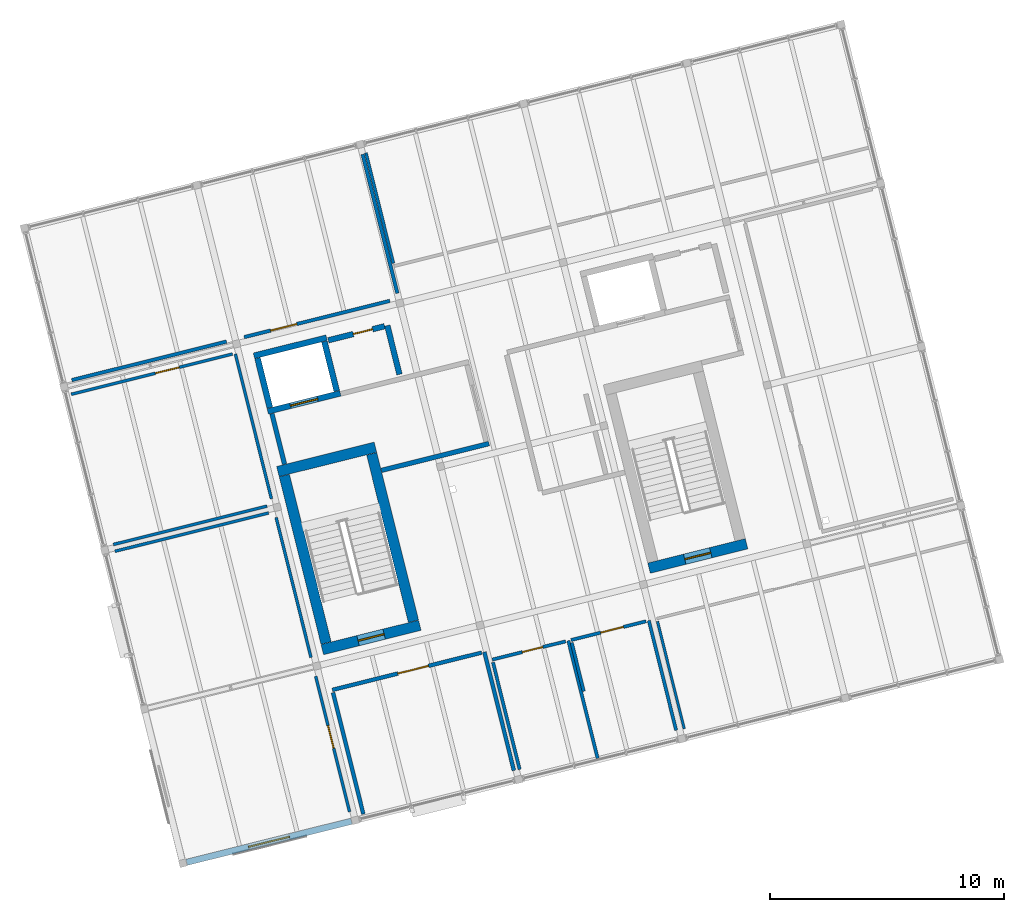
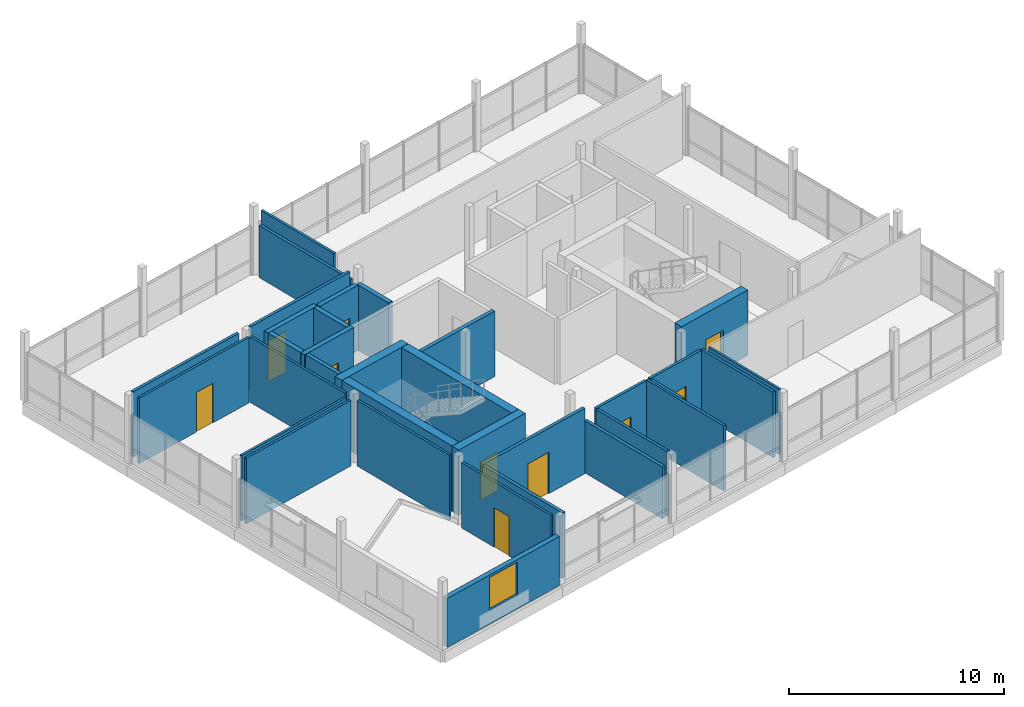
# One storey, part 23 of 25: 34 walls, 10 doors, 1 window, 11 openings.
"""IFC4 building model written with IfcOpenShell, lengths in metres."""

from ifc_helpers import new_model, si_unit, direction, frame, frame_2d, origin, place, context, subcontext, project, spatial, rectangle, extrude, material, layer, layer_set, type_object, element, fill, save


model = new_model("IFC4")

# Units and contexts
model_context = context("Model", 3, precision=1e-05, world=origin(), true_north=direction((0.0, 1.0)))
body_context = subcontext(model_context, "Body", "Model", "MODEL_VIEW")
ifc_project = project(units=[si_unit("LENGTHUNIT", "METRE"), si_unit("AREAUNIT", "SQUARE_METRE"), si_unit("VOLUMEUNIT", "CUBIC_METRE"), si_unit("PLANEANGLEUNIT", "RADIAN"), si_unit("MASSUNIT", "GRAM", prefix="KILO")], contexts=[model_context])

# Site, building, storey
site_placement = place(None, origin())
site = spatial("IfcSite", under=ifc_project, at=site_placement, CompositionType="ELEMENT")
building_placement = place(site_placement, origin())
building = spatial("IfcBuilding", under=site, at=building_placement, Name="Meriwether Solvik Hall", CompositionType="ELEMENT")
storey_placement = place(building_placement, frame((0.0, 0.0, 49.5)))
storey = spatial("IfcBuildingStorey", under=building, at=storey_placement, Name="L12", CompositionType="ELEMENT", Elevation=49.5)

# Wall
ifc_material_1 = material(Name="Double-Layer Acoustic Gypsum Board", Category="gypsum")
ifc_layer_1 = layer(ifc_material_1, 0.1650390625)
ifc_layer_set_1 = layer_set([ifc_layer_1], Name="Double-Layer Acoustic Gypsum Board")
wall_type_1 = type_object("IfcWallType", Name="WALL-DEM-165", PredefinedType="PARTITIONING", material=ifc_layer_set_1)
wall_1_placement = place(storey_placement, frame((82.76025390625, 45.169921875, 0.0), z_axis=(0.0, 0.0, 1.0), x_axis=(-0.241908753839, 0.970299002791, 0.0)))
element("IfcWall", 1, at=wall_1_placement, inside=storey, type_object=wall_type_1, Name="L12 Interior Partition lab_12sw_e", PredefinedType="PARTITIONING", context=body_context, shape_type="SweptSolid", body=[
    extrude(rectangle(XDim=5.2236328125, YDim=0.1650390625, at=frame_2d((2.61181640625, 0.0))), origin(), (0.0, 0.0, 1.0), 2.9599609375),
])

# Wall, opening, door
wall_2_placement = place(storey_placement, frame((81.380126953125, 50.20947265625, 0.0), z_axis=(0.0, 0.0, 1.0), x_axis=(-0.97028855449, -0.241950658247, 0.0)))
wall_2 = element("IfcWall", 2, at=wall_2_placement, inside=storey, type_object=wall_type_1, Name="L12 Interior Partition lab_12sw_n", PredefinedType="PARTITIONING", context=body_context, shape_type="SweptSolid", body=[
    extrude(rectangle(XDim=6.580078125, YDim=0.1650390625, at=frame_2d((3.2900390625, 0.0))), origin(), (0.0, 0.0, 1.0), 3.719970703125),
])
opening_1_placement = place(wall_2_placement, frame((2.342529296875, 0.0, 0.0)))
opening_1 = element("IfcOpeningElement", 3, at=opening_1_placement, cuts=wall_2, Name="Opening D-190", PredefinedType="OPENING", context=body_context, shape_type="SweptSolid", body=[
    extrude(rectangle(XDim=1.35009765625, YDim=2.35009765625, at=frame_2d((0.675048828125, 1.175048828125))), frame((0.0, 0.094482421875, 0.0), z_axis=(0.0, -1.0, 0.0), x_axis=(1.0, 0.0, 0.0)), (0.0, 0.0, 1.0), 0.18896484375),
])
ifc_material_2 = material(Name="Laminated Vision Glass and Solid White Oak Timber", Category="wood")
door_type_1 = type_object("IfcDoorType", Name="DR-LAB-1350L", OperationType="SINGLE_SWING_LEFT", PredefinedType="DOOR", material=ifc_material_2)
door_1_placement = place(opening_1_placement, origin())
door_1 = element("IfcDoor", 4, at=door_1_placement, inside=storey, type_object=door_type_1, Name="L12 GIS Mapping Studio Door", OperationType="SINGLE_SWING_LEFT", OverallHeight=2.35009765625, OverallWidth=1.35009765625, PredefinedType="DOOR", context=body_context, shape_type="SweptSolid", body=[
    extrude(rectangle(XDim=1.35009765625, YDim=2.35009765625, at=frame_2d((0.675048828125, 1.175048828125))), frame((0.0, 0.02490234375, 0.0), z_axis=(0.0, -1.0, 0.0), x_axis=(1.0, 0.0, 0.0)), (0.0, 0.0, 1.0), 0.050048828125),
])
fill(opening_1, door_1)

# Wall
wall_3_placement = place(storey_placement, frame((75.024658203125, 48.501220703125, 0.0), z_axis=(0.0, 0.0, 1.0), x_axis=(0.241880779036, -0.970305976861, 0.0)))
element("IfcWall", 5, at=wall_3_placement, inside=storey, type_object=wall_type_1, Name="L12 Interior Partition lab_12sw_w", PredefinedType="PARTITIONING", context=body_context, shape_type="SweptSolid", body=[
    extrude(rectangle(XDim=5.3515625, YDim=0.1650390625, at=frame_2d((2.67578125, 0.0))), origin(), (0.0, 0.0, 1.0), 3.719970703125),
])

# Wall, opening, window
ifc_material_3 = material(Name="Charred Western Red Cedar Timber and Mineral Wool", Category="wood")
ifc_layer_2 = layer(ifc_material_3, 0.27001953125)
ifc_layer_set_2 = layer_set([ifc_layer_2], Name="Charred Western Red Cedar Timber and Mineral Wool")
wall_type_2 = type_object("IfcWallType", Name="WALL-EXT-270", PredefinedType="SOLIDWALL", material=ifc_layer_set_2)
wall_4_placement = place(storey_placement, frame((75.809814453125, 42.99755859375, 0.0), z_axis=(0.0, 0.0, 1.0), x_axis=(-0.970296574767, -0.241918492461, 0.0)))
wall_4 = element("IfcWall", 6, at=wall_4_placement, inside=storey, type_object=wall_type_2, Name="L12 Timber Rainscreen Wall 1.0", PredefinedType="SOLIDWALL", context=body_context, shape_type="SweptSolid", body=[
    extrude(rectangle(XDim=7.260986328125, YDim=0.27001953125, at=frame_2d((3.63037109375, 0.0))), origin(), (0.0, 0.0, 1.0), 2.7900390625),
])
opening_2_placement = place(wall_4_placement, frame((2.73046875, 0.0, 0.800048828125)))
opening_2 = element("IfcOpeningElement", 7, at=opening_2_placement, cuts=wall_4, Name="Opening WN-188", PredefinedType="OPENING", context=body_context, shape_type="SweptSolid", body=[
    extrude(rectangle(XDim=1.800048828125, YDim=1.85009765625, at=frame_2d((0.89990234375, 0.925048828125))), frame((0.0, 0.14697265625, 0.0), z_axis=(0.0, -1.0, 0.0), x_axis=(1.0, 0.0, 0.0)), (0.0, 0.0, 1.0), 0.2939453125),
])
ifc_material_4 = material(Name="Thermally Broken Anodised Aluminium and Triple Low-E Glass", Category="aluminium")
window_type = type_object("IfcWindowType", Name="WIN-TW-UPP-180X185", PartitioningType="SINGLE_PANEL", PredefinedType="WINDOW", material=ifc_material_4)
window_placement = place(opening_2_placement, origin())
window = element("IfcWindow", 8, at=window_placement, inside=storey, type_object=window_type, Name="L12 Punched Window 1.0", OverallHeight=1.85009765625, OverallWidth=1.800048828125, PartitioningType="SINGLE_PANEL", PredefinedType="WINDOW", context=body_context, shape_type="SweptSolid", body=[
    extrude(rectangle(XDim=1.800048828125, YDim=1.85009765625, at=frame_2d((0.89990234375, 0.925048828125))), frame((0.0, 0.030029296875, 0.0), z_axis=(0.0, -1.0, 0.0), x_axis=(1.0, 0.0, 0.0)), (0.0, 0.0, 1.0), 0.06005859375),
])
fill(opening_2, window)

# Walls
ifc_material_5 = material(Name="Fire-Rated Type X Gypsum Board", Category="gypsum")
ifc_layer_3 = layer(ifc_material_5, 0.199951171875)
ifc_layer_set_3 = layer_set([ifc_layer_3], Name="Fire-Rated Type X Gypsum Board")
wall_type_3 = type_object("IfcWallType", Name="WALL-FIRE-200", PredefinedType="STANDARD", material=ifc_layer_set_3)
wall_5_placement = place(storey_placement, frame((72.94970703125, 58.269287109375, 0.0), z_axis=(0.0, 0.0, 1.0), x_axis=(-0.24194311862, 0.970290434536, 0.0)))
element("IfcWall", 9, at=wall_5_placement, inside=storey, type_object=wall_type_3, Name="L12 Interior Partition lb1_w", PredefinedType="STANDARD", context=body_context, shape_type="SweptSolid", body=[
    extrude(rectangle(XDim=2.22998046875, YDim=0.199951171875, at=frame_2d((1.114990234375, 0.0))), origin(), (0.0, 0.0, 1.0), 3.719970703125),
])
wall_6_placement = place(storey_placement, frame((77.096923828125, 58.0048828125, 0.0), z_axis=(0.0, 0.0, 1.0), x_axis=(0.970305892741, 0.241881116483, 0.0)))
element("IfcWall", 10, at=wall_6_placement, inside=storey, type_object=wall_type_3, Name="L12 Interior Partition lb1_s", PredefinedType="STANDARD", context=body_context, shape_type="SweptSolid", body=[
    extrude(rectangle(XDim=4.73974609375, YDim=0.199951171875, at=frame_2d((2.369873046875, 0.0))), origin(), (0.0, 0.0, 1.0), 3.719970703125),
])
ifc_material_6 = material(Name="Tempered Laminated Glass in Anodised Aluminium Frame", Category="aluminium")
ifc_layer_4 = layer(ifc_material_6, 0.112060546875)
ifc_layer_set_4 = layer_set([ifc_layer_4], Name="Tempered Laminated Glass in Anodised Aluminium Frame")
wall_type_4 = type_object("IfcWallType", Name="WALL-GLZ-112", PredefinedType="PARTITIONING", material=ifc_layer_set_4)
wall_7_placement = place(storey_placement, frame((88.8994140625, 51.54833984375, 0.0), z_axis=(0.0, 0.0, 1.0), x_axis=(0.241953794195, -0.970287772506, 0.0)))
element("IfcWall", 11, at=wall_7_placement, inside=storey, type_object=wall_type_4, Name="L12 Interior Partition off_12se_w", PredefinedType="PARTITIONING", context=body_context, shape_type="SweptSolid", body=[
    extrude(rectangle(XDim=4.739501953125, YDim=0.112060546875, at=frame_2d((2.36962890625, 0.0))), origin(), (0.0, 0.0, 1.0), 3.719970703125),
])
ifc_material_7 = material(Name="Concrete C40/50", Category="concrete")
ifc_layer_5 = layer(ifc_material_7, 0.25)
ifc_layer_set_5 = layer_set([ifc_layer_5], Name="Concrete C40/50")
wall_type_5 = type_object("IfcWallType", Name="WALL-HOIST-250", PredefinedType="SHEAR", material=ifc_layer_set_5)
wall_8_placement = place(storey_placement, frame((74.744384765625, 63.67919921875, 0.0), z_axis=(0.0, 0.0, 1.0), x_axis=(-0.970294894235, -0.241925232711, 0.0)))
element("IfcWall", 12, at=wall_8_placement, inside=storey, type_object=wall_type_5, Name="Hoistway BANK1 North Wall (L12)", PredefinedType="SHEAR", context=body_context, shape_type="SweptSolid", body=[
    extrude(rectangle(XDim=3.199951171875, YDim=0.25, at=frame_2d((1.60009765625, 0.0))), origin(), (0.0, 0.0, 1.0), 3.719970703125),
])
for number, where, z_axis, x_axis, name in (
    (13, (71.793212890625, 62.80419921875, 0.0), (0.0, 0.0, 1.0), (0.242008581424, -0.970274108959, 0.0), "Hoistway BANK1 West Wall (L12)"),
    (14, (75.18310546875, 61.402587890625, 0.0), (0.0, 0.0, 1.0), (-0.241903146974, 0.970300400641, 0.0), "Hoistway BANK1 East Wall (L12)"),
):
    element("IfcWall", number, at=place(storey_placement, frame(where, z_axis=z_axis, x_axis=x_axis)), inside=storey, type_object=wall_type_5, Name=name, PredefinedType="SHEAR", context=body_context, shape_type="SweptSolid", body=[
        extrude(rectangle(XDim=2.179931640625, YDim=0.25, at=frame_2d((1.08984375, 0.0))), origin(), (0.0, 0.0, 1.0), 3.719970703125),
    ])

# Wall, opening, door
wall_9_placement = place(storey_placement, frame((72.232177734375, 60.52783203125, 0.0), z_axis=(0.0, 0.0, 1.0), x_axis=(0.970290428474, 0.241943142934, 0.0)))
wall_9 = element("IfcWall", 15, at=wall_9_placement, inside=storey, type_object=wall_type_5, Name="Lift LF-01 Landing Wall (L12)", PredefinedType="SHEAR", context=body_context, shape_type="SweptSolid", body=[
    extrude(rectangle(XDim=3.19970703125, YDim=0.25, at=frame_2d((1.599853515625, 0.0))), origin(), (0.0, 0.0, 1.0), 3.719970703125),
])
opening_3_placement = place(wall_9_placement, frame((1.0, 0.0, 0.0)))
opening_3 = element("IfcOpeningElement", 16, at=opening_3_placement, cuts=wall_9, Name="Opening LD-01", PredefinedType="OPENING", context=body_context, shape_type="SweptSolid", body=[
    extrude(rectangle(XDim=1.199951171875, YDim=2.199951171875, at=frame_2d((0.60009765625, 1.10009765625))), frame((0.0, 0.136962890625, 0.0), z_axis=(0.0, -1.0, 0.0), x_axis=(1.0, 0.0, 0.0)), (0.0, 0.0, 1.0), 0.27392578125),
])
ifc_material_8 = material(Name="Stainless Steel AISI 316", Category="steel")
door_type_2 = type_object("IfcDoorType", Name="DR-LIFT-FSAE", OperationType="DOUBLE_DOOR_SLIDING", PredefinedType="DOOR", material=ifc_material_8)
door_2_placement = place(opening_3_placement, origin())
door_2 = element("IfcDoor", 17, at=door_2_placement, inside=storey, type_object=door_type_2, Name="Lift Landing Door LF-01 (L12)", OperationType="DOUBLE_DOOR_SLIDING", OverallHeight=2.199951171875, OverallWidth=1.199951171875, PredefinedType="DOOR", context=body_context, shape_type="SweptSolid", body=[
    extrude(rectangle(XDim=1.199951171875, YDim=2.199951171875, at=frame_2d((0.60009765625, 1.10009765625))), frame((0.0, 0.02490234375, 0.0), z_axis=(0.0, -1.0, 0.0), x_axis=(1.0, 0.0, 0.0)), (0.0, 0.0, 1.0), 0.050048828125),
])
fill(opening_3, door_2)

ifc_material_9 = material(Name="Gypsum Board Partition", Category="gypsum")
ifc_layer_6 = layer(ifc_material_9, 0.125)
ifc_layer_set_6 = layer_set([ifc_layer_6], Name="Gypsum Board Partition")
wall_type_6 = type_object("IfcWallType", Name="WALL-PART-125", PredefinedType="PARTITIONING", material=ifc_layer_set_6)
wall_10_placement = place(storey_placement, frame((75.728759765625, 43.403564453125, 0.0), z_axis=(0.0, 0.0, 1.0), x_axis=(-0.24192989378, 0.970293732071, 0.0)))
wall_10 = element("IfcWall", 18, at=wall_10_placement, inside=storey, type_object=wall_type_6, Name="L12 Interior Partition off_12a_e", PredefinedType="PARTITIONING", context=body_context, shape_type="SweptSolid", body=[
    extrude(rectangle(XDim=5.97509765625, YDim=0.125, at=frame_2d((2.987548828125, 0.0))), origin(), (0.0, 0.0, 1.0), 3.719970703125),
])
opening_4_placement = place(wall_10_placement, frame((2.798095703125, 0.0, 0.0)))
opening_4 = element("IfcOpeningElement", 19, at=opening_4_placement, cuts=wall_10, Name="Opening D-166", PredefinedType="OPENING", context=body_context, shape_type="SweptSolid", body=[
    extrude(rectangle(XDim=1.0, YDim=2.25, at=frame_2d((0.5, 1.125))), frame((0.0, 0.074462890625, 0.0), z_axis=(0.0, -1.0, 0.0), x_axis=(1.0, 0.0, 0.0)), (0.0, 0.0, 1.0), 0.14892578125),
])
ifc_material_10 = material(Name="Laminated Vision Glass and Solid White Oak Timber", Category="wood")
door_type_3 = type_object("IfcDoorType", Name="DR-OFF-1000L", OperationType="SINGLE_SWING_LEFT", PredefinedType="DOOR", material=ifc_material_10)
door_3_placement = place(opening_4_placement, origin())
door_3 = element("IfcDoor", 20, at=door_3_placement, inside=storey, type_object=door_type_3, Name="L12 Civic Leadership Office West Door", OperationType="SINGLE_SWING_LEFT", OverallHeight=2.25, OverallWidth=1.0, PredefinedType="DOOR", context=body_context, shape_type="SweptSolid", body=[
    extrude(rectangle(XDim=1.0, YDim=2.25, at=frame_2d((0.5, 1.125))), frame((0.0, 0.02490234375, 0.0), z_axis=(0.0, -1.0, 0.0), x_axis=(1.0, 0.0, 0.0)), (0.0, 0.0, 1.0), 0.050048828125),
])
fill(opening_4, door_3)

# Walls
wall_11_placement = place(storey_placement, frame((74.08349609375, 50.00146484375, 0.0), z_axis=(0.0, 0.0, 1.0), x_axis=(-0.241921603562, 0.970295799089, 0.0)))
element("IfcWall", 21, at=wall_11_placement, inside=storey, type_object=wall_type_6, Name="L12 Interior Partition off_12a_e_s2", PredefinedType="PARTITIONING", context=body_context, shape_type="SweptSolid", body=[
    extrude(rectangle(XDim=6.175048828125, YDim=0.125, at=frame_2d((3.08740234375, 0.0))), origin(), (0.0, 0.0, 1.0), 3.719970703125),
])
for number, where, z_axis, x_axis, name in (
    (22, (72.270751953125, 56.18310546875, 0.0), (0.0, 0.0, 1.0), (-0.97029069988, -0.241942054482, 0.0), "L12 Interior Partition off_12a_n"),
    (23, (65.62646484375, 54.835693359375, 0.0), (0.0, 0.0, 1.0), (0.970299158832, 0.241908127952, 0.0), "L12 Interior Partition off_12b_s"),
):
    element("IfcWall", number, at=place(storey_placement, frame(where, z_axis=z_axis, x_axis=x_axis)), inside=storey, type_object=wall_type_6, Name=name, PredefinedType="PARTITIONING", context=body_context, shape_type="SweptSolid", body=[
        extrude(rectangle(XDim=6.77490234375, YDim=0.125, at=frame_2d((3.387451171875, 0.0))), origin(), (0.0, 0.0, 1.0), 3.719970703125),
    ])
wall_12_placement = place(storey_placement, frame((72.39013671875, 56.793701171875, 0.0), z_axis=(0.0, 0.0, 1.0), x_axis=(-0.241922822951, 0.970295495061, 0.0)))
element("IfcWall", 24, at=wall_12_placement, inside=storey, type_object=wall_type_6, Name="L12 Interior Partition off_12b_e", PredefinedType="PARTITIONING", context=body_context, shape_type="SweptSolid", body=[
    extrude(rectangle(XDim=6.375, YDim=0.125, at=frame_2d((3.1875, 0.0))), origin(), (0.0, 0.0, 1.0), 3.719970703125),
])

# Wall, opening, door
wall_13_placement = place(storey_placement, frame((70.723876953125, 62.980712890625, 0.0), z_axis=(0.0, 0.0, 1.0), x_axis=(-0.970293813542, -0.241929567029, 0.0)))
wall_13 = element("IfcWall", 25, at=wall_13_placement, inside=storey, type_object=wall_type_6, Name="L12 Interior Partition off_12b_n", PredefinedType="PARTITIONING", context=body_context, shape_type="SweptSolid", body=[
    extrude(rectangle(XDim=7.109375, YDim=0.125, at=frame_2d((3.5546875, 0.0))), origin(), (0.0, 0.0, 1.0), 3.719970703125),
])
opening_5_placement = place(wall_13_placement, frame((2.35009765625, 0.0, 0.0)))
opening_5 = element("IfcOpeningElement", 26, at=opening_5_placement, cuts=wall_13, Name="Opening D-175", PredefinedType="OPENING", context=body_context, shape_type="SweptSolid", body=[
    extrude(rectangle(XDim=1.050048828125, YDim=2.25, at=frame_2d((0.52490234375, 1.125))), frame((0.0, 0.074462890625, 0.0), z_axis=(0.0, -1.0, 0.0), x_axis=(1.0, 0.0, 0.0)), (0.0, 0.0, 1.0), 0.14892578125),
])
ifc_material_11 = material(Name="Solid-Core Rift White Oak Timber", Category="wood")
door_type_4 = type_object("IfcDoorType", Name="DR-FEL-1050L", OperationType="SINGLE_SWING_LEFT", PredefinedType="DOOR", material=ifc_material_11)
door_4_placement = place(opening_5_placement, origin())
door_4 = element("IfcDoor", 27, at=door_4_placement, inside=storey, type_object=door_type_4, Name="L12 Youth Policy Directorate Door", OperationType="SINGLE_SWING_LEFT", OverallHeight=2.25, OverallWidth=1.050048828125, PredefinedType="DOOR", context=body_context, shape_type="SweptSolid", body=[
    extrude(rectangle(XDim=1.050048828125, YDim=2.25, at=frame_2d((0.52490234375, 1.125))), frame((0.0, 0.02490234375, 0.0), z_axis=(0.0, -1.0, 0.0), x_axis=(1.0, 0.0, 0.0)), (0.0, 0.0, 1.0), 0.050048828125),
])
fill(opening_5, door_4)

# Walls
wall_14_placement = place(storey_placement, frame((76.43212890625, 71.583740234375, 0.0), z_axis=(0.0, 0.0, 1.0), x_axis=(0.241909950511, -0.970298704443, 0.0)))
element("IfcWall", 28, at=wall_14_placement, inside=storey, type_object=wall_type_6, Name="L12 Interior Partition off_12n2_w", PredefinedType="PARTITIONING", context=body_context, shape_type="SweptSolid", body=[
    extrude(rectangle(XDim=4.866455078125, YDim=0.125, at=frame_2d((2.43310546875, 0.0))), origin(), (0.0, 0.0, 1.0), 3.719970703125),
])
ifc_material_12 = material(Name="Gypsum Board Partition", Category="gypsum")
ifc_layer_7 = layer(ifc_material_12, 0.14990234375)
ifc_layer_set_7 = layer_set([ifc_layer_7], Name="Gypsum Board Partition")
wall_type_7 = type_object("IfcWallType", Name="WALL-PART-150", PredefinedType="PARTITIONING", material=ifc_layer_set_7)
wall_15_placement = place(storey_placement, frame((63.849365234375, 61.864501953125, 0.0), z_axis=(0.0, 0.0, 1.0), x_axis=(0.970293929534, 0.241929101822, 0.0)))
element("IfcWall", 29, at=wall_15_placement, inside=storey, type_object=wall_type_7, Name="L12 Interior Partition off_12n1_s", PredefinedType="PARTITIONING", context=body_context, shape_type="SweptSolid", body=[
    extrude(rectangle(XDim=6.81982421875, YDim=0.14990234375, at=frame_2d((3.409912109375, 0.0))), origin(), (0.0, 0.0, 1.0), 3.719970703125),
])

# Wall, opening, door
wall_16_placement = place(storey_placement, frame((71.2236328125, 63.703125, 0.0), z_axis=(0.0, 0.0, 1.0), x_axis=(0.970298892289, 0.241909197062, 0.0)))
wall_16 = element("IfcWall", 30, at=wall_16_placement, inside=storey, type_object=wall_type_7, Name="L12 Interior Partition off_12n1_s_s2", PredefinedType="PARTITIONING", context=body_context, shape_type="SweptSolid", body=[
    extrude(rectangle(XDim=6.419677734375, YDim=0.14990234375, at=frame_2d((3.2099609375, 0.0))), origin(), (0.0, 0.0, 1.0), 3.719970703125),
])
opening_6_placement = place(wall_16_placement, frame((1.166015625, 0.0, 0.0)))
opening_6 = element("IfcOpeningElement", 31, at=opening_6_placement, cuts=wall_16, Name="Opening D-149", PredefinedType="OPENING", context=body_context, shape_type="SweptSolid", body=[
    extrude(rectangle(XDim=1.14990234375, YDim=2.300048828125, at=frame_2d((0.574951171875, 1.14990234375))), frame((0.0, 0.0869140625, 0.0), z_axis=(0.0, -1.0, 0.0), x_axis=(1.0, 0.0, 0.0)), (0.0, 0.0, 1.0), 0.173828125),
])
ifc_material_13 = material(Name="Laminated Vision Glass and Solid White Oak Timber", Category="wood")
door_type_5 = type_object("IfcDoorType", Name="DR-SEM-1150L", OperationType="SINGLE_SWING_LEFT", PredefinedType="DOOR", material=ifc_material_13)
door_5_placement = place(opening_6_placement, origin())
door_5 = element("IfcDoor", 32, at=door_5_placement, inside=storey, type_object=door_type_5, Name="L12 North View Seminar Room Door", OperationType="SINGLE_SWING_LEFT", OverallHeight=2.300048828125, OverallWidth=1.14990234375, PredefinedType="DOOR", context=body_context, shape_type="SweptSolid", body=[
    extrude(rectangle(XDim=1.14990234375, YDim=2.300048828125, at=frame_2d((0.574951171875, 1.14990234375))), frame((0.0, 0.02490234375, 0.0), z_axis=(0.0, -1.0, 0.0), x_axis=(1.0, 0.0, 0.0)), (0.0, 0.0, 1.0), 0.050048828125),
])
fill(opening_6, door_5)

# Wall
wall_17_placement = place(storey_placement, frame((77.77392578125, 65.58203125, 0.0), z_axis=(0.0, 0.0, 1.0), x_axis=(-0.241906994497, 0.970299441417, 0.0)))
element("IfcWall", 33, at=wall_17_placement, inside=storey, type_object=wall_type_7, Name="L12 Interior Partition off_12n1_e", PredefinedType="PARTITIONING", context=body_context, shape_type="SweptSolid", body=[
    extrude(rectangle(XDim=6.123046875, YDim=0.14990234375, at=frame_2d((3.0615234375, 0.0))), origin(), (0.0, 0.0, 1.0), 2.9599609375),
])

# Wall, opening, door
ifc_material_14 = material(Name="Concrete C45/55", Category="concrete")
ifc_layer_8 = layer(ifc_material_14, 0.449951171875)
ifc_layer_set_8 = layer_set([ifc_layer_8], Name="Concrete C45/55")
wall_type_8 = type_object("IfcWallType", Name="WALL-RC-450", PredefinedType="SHEAR", material=ifc_layer_set_8)
wall_18_placement = place(storey_placement, frame((74.566162109375, 50.33984375, 0.0), z_axis=(0.0, 0.0, 1.0), x_axis=(0.970292610647, 0.241934391361, 0.0)))
wall_18 = element("IfcWall", 34, at=wall_18_placement, inside=storey, type_object=wall_type_8, Name="CORE-1 Shear Wall S (L12)", PredefinedType="SHEAR", context=body_context, shape_type="SweptSolid", body=[
    extrude(rectangle(XDim=4.2998046875, YDim=0.449951171875, at=frame_2d((2.14990234375, 0.0))), origin(), (0.0, 0.0, 1.0), 3.719970703125),
])
opening_7_placement = place(wall_18_placement, frame((1.574951171875, 0.0, 0.0)))
opening_7 = element("IfcOpeningElement", 35, at=opening_7_placement, cuts=wall_18, Name="Opening D-189", PredefinedType="OPENING", context=body_context, shape_type="SweptSolid", body=[
    extrude(rectangle(XDim=1.14990234375, YDim=2.199951171875, at=frame_2d((0.574951171875, 1.10009765625))), frame((0.0, 0.23681640625, 0.0), z_axis=(0.0, -1.0, 0.0), x_axis=(1.0, 0.0, 0.0)), (0.0, 0.0, 1.0), 0.473876953125),
])
ifc_material_15 = material(Name="Steel A36 Galvanised", Category="steel")
door_type_6 = type_object("IfcDoorType", Name="DR-FD90-1150L", OperationType="SINGLE_SWING_LEFT", PredefinedType="DOOR", material=ifc_material_15)
door_6_placement = place(opening_7_placement, origin())
door_6 = element("IfcDoor", 36, at=door_6_placement, inside=storey, type_object=door_type_6, Name="Stair ST-01 Smokeproof Exit Door (L12)", OperationType="SINGLE_SWING_LEFT", OverallHeight=2.199951171875, OverallWidth=1.14990234375, PredefinedType="DOOR", context=body_context, shape_type="SweptSolid", body=[
    extrude(rectangle(XDim=1.14990234375, YDim=2.199951171875, at=frame_2d((0.574951171875, 1.10009765625))), frame((0.0, 0.02490234375, 0.0), z_axis=(0.0, -1.0, 0.0), x_axis=(1.0, 0.0, 0.0)), (0.0, 0.0, 1.0), 0.050048828125),
])
fill(opening_7, door_6)

# Walls
wall_19_placement = place(storey_placement, frame((76.83935546875, 58.996826171875, 0.0), z_axis=(0.0, 0.0, 1.0), x_axis=(-0.970295933763, -0.241921063415, 0.0)))
element("IfcWall", 37, at=wall_19_placement, inside=storey, type_object=wall_type_8, Name="CORE-1 Shear Wall N (L12)", PredefinedType="SHEAR", context=body_context, shape_type="SweptSolid", body=[
    extrude(rectangle(XDim=4.300048828125, YDim=0.449951171875, at=frame_2d((2.14990234375, 0.0))), origin(), (0.0, 0.0, 1.0), 3.719970703125),
])
for number, where, z_axis, x_axis, name in (
    (38, (72.942138671875, 57.782958984375, 0.0), (0.0, 0.0, 1.0), (0.241928426141, -0.970294098006, 0.0), "CORE-1 Shear Wall W (L12)"),
    (39, (78.463134765625, 51.5537109375, 0.0), (0.0, 0.0, 1.0), (-0.241928426141, 0.970294098006, 0.0), "CORE-1 Shear Wall E (L12)"),
):
    element("IfcWall", number, at=place(storey_placement, frame(where, z_axis=z_axis, x_axis=x_axis)), inside=storey, type_object=wall_type_8, Name=name, PredefinedType="SHEAR", context=body_context, shape_type="SweptSolid", body=[
        extrude(rectangle(XDim=7.3798828125, YDim=0.449951171875, at=frame_2d((3.68994140625, 0.0))), origin(), (0.0, 0.0, 1.0), 3.719970703125),
    ])

# Wall, opening, door
wall_20_placement = place(storey_placement, frame((88.538330078125, 53.823486328125, 0.0), z_axis=(0.0, 0.0, 1.0), x_axis=(0.970295933763, 0.241921063415, 0.0)))
wall_20 = element("IfcWall", 40, at=wall_20_placement, inside=storey, type_object=wall_type_8, Name="CORE-2 Shear Wall S (L12)", PredefinedType="SHEAR", context=body_context, shape_type="SweptSolid", body=[
    extrude(rectangle(XDim=4.300048828125, YDim=0.449951171875, at=frame_2d((2.14990234375, 0.0))), origin(), (0.0, 0.0, 1.0), 3.719970703125),
])
opening_8_placement = place(wall_20_placement, frame((1.574951171875, 0.0, 0.0)))
opening_8 = element("IfcOpeningElement", 41, at=opening_8_placement, cuts=wall_20, Name="Opening D-148", PredefinedType="OPENING", context=body_context, shape_type="SweptSolid", body=[
    extrude(rectangle(XDim=1.14990234375, YDim=2.199951171875, at=frame_2d((0.574951171875, 1.10009765625))), frame((0.0, 0.23681640625, 0.0), z_axis=(0.0, -1.0, 0.0), x_axis=(1.0, 0.0, 0.0)), (0.0, 0.0, 1.0), 0.473876953125),
])
ifc_material_16 = material(Name="Steel A36 Galvanised", Category="steel")
door_type_7 = type_object("IfcDoorType", Name="DR-FD90-1150R", OperationType="SINGLE_SWING_RIGHT", PredefinedType="DOOR", material=ifc_material_16)
door_7_placement = place(opening_8_placement, origin())
door_7 = element("IfcDoor", 42, at=door_7_placement, inside=storey, type_object=door_type_7, Name="Stair ST-02 Smokeproof Exit Door (L12)", OperationType="SINGLE_SWING_RIGHT", OverallHeight=2.199951171875, OverallWidth=1.14990234375, PredefinedType="DOOR", context=body_context, shape_type="SweptSolid", body=[
    extrude(rectangle(XDim=1.14990234375, YDim=2.199951171875, at=frame_2d((0.574951171875, 1.10009765625))), frame((0.0, 0.02490234375, 0.0), z_axis=(0.0, -1.0, 0.0), x_axis=(1.0, 0.0, 0.0)), (0.0, 0.0, 1.0), 0.050048828125),
])
fill(opening_8, door_7)

# Wall
ifc_material_17 = material(Name="Concrete C35/45", Category="concrete")
ifc_layer_9 = layer(ifc_material_17, 0.239990234375)
ifc_layer_set_9 = layer_set([ifc_layer_9], Name="Concrete C35/45")
wall_type_9 = type_object("IfcWallType", Name="WALL-SHAFT-240", PredefinedType="STANDARD", material=ifc_layer_set_9)
wall_21_placement = place(storey_placement, frame((77.865966796875, 62.11279296875, 0.0), z_axis=(0.0, 0.0, 1.0), x_axis=(-0.2418676095, 0.970309259708, 0.0)))
element("IfcWall", 43, at=wall_21_placement, inside=storey, type_object=wall_type_9, Name="L12 Interior Partition riser1_e", PredefinedType="STANDARD", context=body_context, shape_type="SweptSolid", body=[
    extrude(rectangle(XDim=2.14990234375, YDim=0.239990234375, at=frame_2d((1.074951171875, 0.0))), origin(), (0.0, 0.0, 1.0), 3.719970703125),
])

# Wall, opening, door
wall_22_placement = place(storey_placement, frame((77.2294921875, 64.169921875, 0.0), z_axis=(0.0, 0.0, 1.0), x_axis=(-0.970310192441, -0.241863867589, 0.0)))
wall_22 = element("IfcWall", 44, at=wall_22_placement, inside=storey, type_object=wall_type_9, Name="L12 Interior Partition riser1_n", PredefinedType="STANDARD", context=body_context, shape_type="SweptSolid", body=[
    extrude(rectangle(XDim=2.480224609375, YDim=0.239990234375, at=frame_2d((1.240234375, 0.0))), origin(), (0.0, 0.0, 1.0), 3.719970703125),
])
opening_9_placement = place(wall_22_placement, frame((0.530029296875, 0.0, 0.0)))
opening_9 = element("IfcOpeningElement", 45, at=opening_9_placement, cuts=wall_22, Name="Opening D-102", PredefinedType="OPENING", context=body_context, shape_type="SweptSolid", body=[
    extrude(rectangle(XDim=0.85009765625, YDim=2.10009765625, at=frame_2d((0.425048828125, 1.050048828125))), frame((0.0, 0.1318359375, 0.0), z_axis=(0.0, -1.0, 0.0), x_axis=(1.0, 0.0, 0.0)), (0.0, 0.0, 1.0), 0.263916015625),
])
ifc_material_18 = material(Name="Steel A36 Galvanised", Category="steel")
door_type_8 = type_object("IfcDoorType", Name="DR-FD60-850L", OperationType="SINGLE_SWING_LEFT", PredefinedType="DOOR", material=ifc_material_18)
door_8_placement = place(opening_9_placement, origin())
door_8 = element("IfcDoor", 46, at=door_8_placement, inside=storey, type_object=door_type_8, Name="Telecom Riser Closet Door (L12)", OperationType="SINGLE_SWING_LEFT", OverallHeight=2.10009765625, OverallWidth=0.85009765625, PredefinedType="DOOR", context=body_context, shape_type="SweptSolid", body=[
    extrude(rectangle(XDim=0.85009765625, YDim=2.10009765625, at=frame_2d((0.425048828125, 1.050048828125))), frame((0.0, 0.02490234375, 0.0), z_axis=(0.0, -1.0, 0.0), x_axis=(1.0, 0.0, 0.0)), (0.0, 0.0, 1.0), 0.050048828125),
])
fill(opening_9, door_8)

# Wall
ifc_material_19 = material(Name="Moisture-Resistant Gypsum Board", Category="gypsum")
ifc_layer_10 = layer(ifc_material_19, 0.139892578125)
ifc_layer_set_10 = layer_set([ifc_layer_10], Name="Moisture-Resistant Gypsum Board")
wall_type_10 = type_object("IfcWallType", Name="WALL-WET-140", PredefinedType="PLUMBINGWALL", material=ifc_layer_set_10)
wall_23_placement = place(storey_placement, frame((86.341796875, 45.685302734375, 0.0), z_axis=(0.0, 0.0, 1.0), x_axis=(-0.241882536495, 0.970305538755, 0.0)))
element("IfcWall", 47, at=wall_23_placement, inside=storey, type_object=wall_type_10, Name="L12 Interior Partition wc_m_e", PredefinedType="PLUMBINGWALL", context=body_context, shape_type="SweptSolid", body=[
    extrude(rectangle(XDim=5.18994140625, YDim=0.139892578125, at=frame_2d((2.594970703125, 0.0))), origin(), (0.0, 0.0, 1.0), 3.719970703125),
])

# Wall, opening, door
wall_24_placement = place(storey_placement, frame((84.969970703125, 50.692138671875, 0.0), z_axis=(0.0, 0.0, 1.0), x_axis=(-0.970306789251, -0.241877520106, 0.0)))
wall_24 = element("IfcWall", 48, at=wall_24_placement, inside=storey, type_object=wall_type_10, Name="L12 Interior Partition wc_m_n", PredefinedType="PLUMBINGWALL", context=body_context, shape_type="SweptSolid", body=[
    extrude(rectangle(XDim=3.22998046875, YDim=0.139892578125, at=frame_2d((1.614990234375, 0.0))), origin(), (0.0, 0.0, 1.0), 3.719970703125),
])
opening_10_placement = place(wall_24_placement, frame((1.008544921875, 0.0, 0.0)))
opening_10 = element("IfcOpeningElement", 49, at=opening_10_placement, cuts=wall_24, Name="Opening D-174", PredefinedType="OPENING", context=body_context, shape_type="SweptSolid", body=[
    extrude(rectangle(XDim=0.89990234375, YDim=2.14990234375, at=frame_2d((0.449951171875, 1.074951171875))), frame((0.0, 0.08203125, 0.0), z_axis=(0.0, -1.0, 0.0), x_axis=(1.0, 0.0, 0.0)), (0.0, 0.0, 1.0), 0.163818359375),
])
ifc_material_20 = material(Name="Solid-Core Rift White Oak Timber", Category="wood")
door_type_9 = type_object("IfcDoorType", Name="DR-WC-900L", OperationType="SINGLE_SWING_LEFT", PredefinedType="DOOR", material=ifc_material_20)
door_9_placement = place(opening_10_placement, origin())
door_9 = element("IfcDoor", 50, at=door_9_placement, inside=storey, type_object=door_type_9, Name="L12 Restrooms Door", OperationType="SINGLE_SWING_LEFT", OverallHeight=2.14990234375, OverallWidth=0.89990234375, PredefinedType="DOOR", context=body_context, shape_type="SweptSolid", body=[
    extrude(rectangle(XDim=0.89990234375, YDim=2.14990234375, at=frame_2d((0.449951171875, 1.074951171875))), frame((0.0, 0.02490234375, 0.0), z_axis=(0.0, -1.0, 0.0), x_axis=(1.0, 0.0, 0.0)), (0.0, 0.0, 1.0), 0.050048828125),
])
fill(opening_10, door_9)

# Walls
wall_25_placement = place(storey_placement, frame((81.86474609375, 49.79443359375, 0.0), z_axis=(0.0, 0.0, 1.0), x_axis=(0.241926894929, -0.97029447979, 0.0)))
element("IfcWall", 51, at=wall_25_placement, inside=storey, type_object=wall_type_10, Name="L12 Interior Partition wc_m_w", PredefinedType="PLUMBINGWALL", context=body_context, shape_type="SweptSolid", body=[
    extrude(rectangle(XDim=4.71875, YDim=0.139892578125, at=frame_2d((2.359375, 0.0))), origin(), (0.0, 0.0, 1.0), 3.719970703125),
])
wall_26_placement = place(storey_placement, frame((89.700927734375, 46.88720703125, 0.0), z_axis=(0.0, 0.0, 1.0), x_axis=(-0.24194171914, 0.970290783497, 0.0)))
element("IfcWall", 52, at=wall_26_placement, inside=storey, type_object=wall_type_10, Name="L12 Interior Partition wc_a_e", PredefinedType="PLUMBINGWALL", context=body_context, shape_type="SweptSolid", body=[
    extrude(rectangle(XDim=4.836669921875, YDim=0.139892578125, at=frame_2d((2.41845703125, 0.0))), origin(), (0.0, 0.0, 1.0), 3.719970703125),
])

# Wall, opening, door
wall_27_placement = place(storey_placement, frame((88.41455078125, 51.551025390625, 0.0), z_axis=(0.0, 0.0, 1.0), x_axis=(-0.970294165893, -0.241928153868, 0.0)))
wall_27 = element("IfcWall", 53, at=wall_27_placement, inside=storey, type_object=wall_type_10, Name="L12 Interior Partition wc_a_n", PredefinedType="PLUMBINGWALL", context=body_context, shape_type="SweptSolid", body=[
    extrude(rectangle(XDim=3.31005859375, YDim=0.139892578125, at=frame_2d((1.655029296875, 0.0))), origin(), (0.0, 0.0, 1.0), 3.719970703125),
])
opening_11_placement = place(wall_27_placement, frame((1.0, 0.0, 0.0)))
opening_11 = element("IfcOpeningElement", 54, at=opening_11_placement, cuts=wall_27, Name="Opening D-140", PredefinedType="OPENING", context=body_context, shape_type="SweptSolid", body=[
    extrude(rectangle(XDim=1.0, YDim=2.14990234375, at=frame_2d((0.5, 1.074951171875))), frame((0.0, 0.08203125, 0.0), z_axis=(0.0, -1.0, 0.0), x_axis=(1.0, 0.0, 0.0)), (0.0, 0.0, 1.0), 0.163818359375),
])
ifc_material_21 = material(Name="Solid-Core Rift White Oak Timber", Category="wood")
door_type_10 = type_object("IfcDoorType", Name="DR-ACC-1000L", OperationType="SINGLE_SWING_LEFT", PredefinedType="DOOR", material=ifc_material_21)
door_10_placement = place(opening_11_placement, origin())
door_10 = element("IfcDoor", 55, at=door_10_placement, inside=storey, type_object=door_type_10, Name="L12 Accessible WC Door", OperationType="SINGLE_SWING_LEFT", OverallHeight=2.14990234375, OverallWidth=1.0, PredefinedType="DOOR", context=body_context, shape_type="SweptSolid", body=[
    extrude(rectangle(XDim=1.0, YDim=2.14990234375, at=frame_2d((0.5, 1.074951171875))), frame((0.0, 0.02490234375, 0.0), z_axis=(0.0, -1.0, 0.0), x_axis=(1.0, 0.0, 0.0)), (0.0, 0.0, 1.0), 0.050048828125),
])
fill(opening_11, door_10)

# Wall
wall_28_placement = place(storey_placement, frame((85.231689453125, 50.6337890625, 0.0), z_axis=(0.0, 0.0, 1.0), x_axis=(0.241972140659, -0.970283197394, 0.0)))
element("IfcWall", 56, at=wall_28_placement, inside=storey, type_object=wall_type_10, Name="L12 Interior Partition wc_a_w", PredefinedType="PLUMBINGWALL", context=body_context, shape_type="SweptSolid", body=[
    extrude(rectangle(XDim=2.14111328125, YDim=0.139892578125, at=frame_2d((1.070556640625, 0.0))), origin(), (0.0, 0.0, 1.0), 3.719970703125),
])

save(model, "model.ifc")
